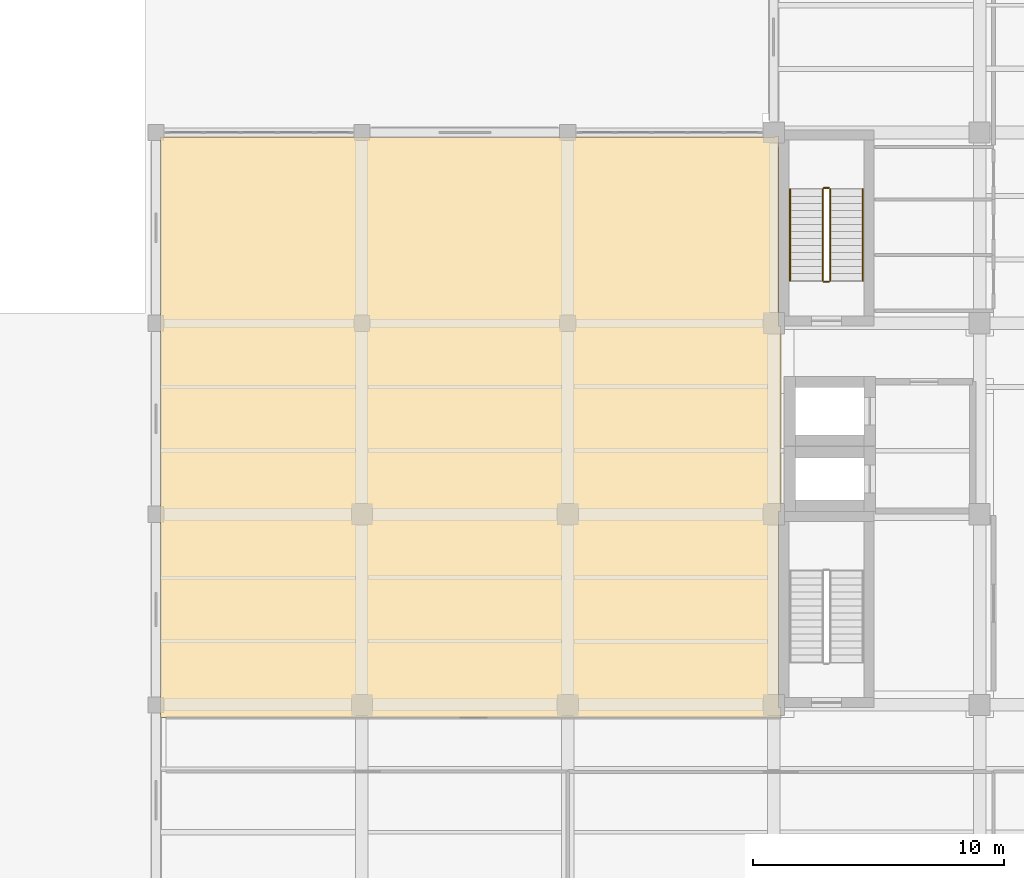
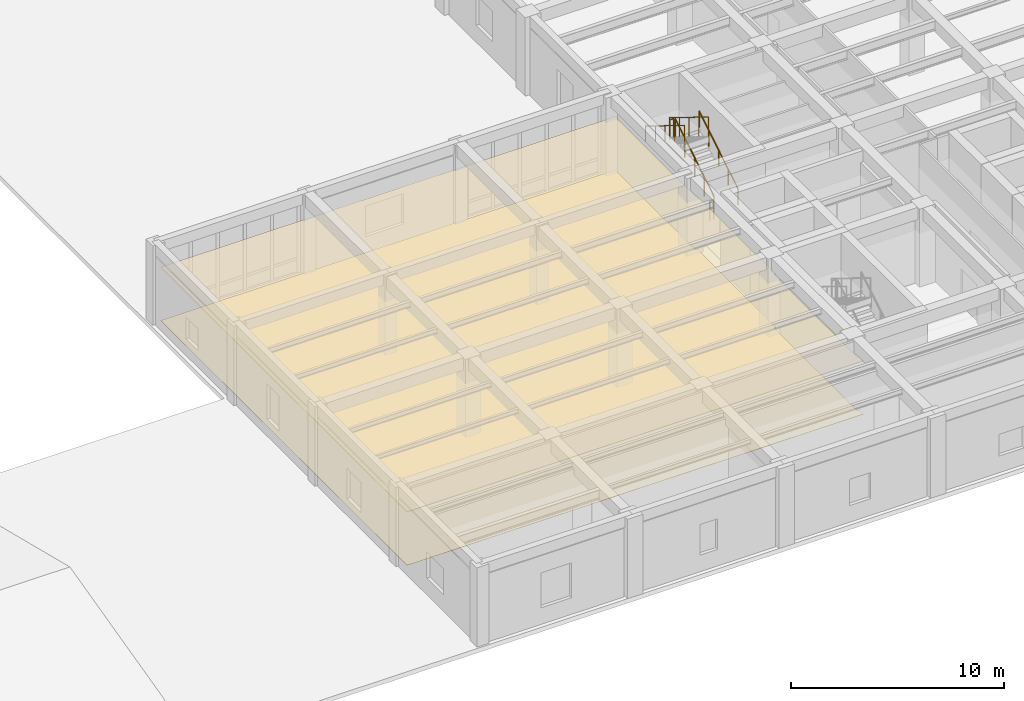
# One storey, part 21 of 23: 6 railings, 2 coverings.
"""IFC4 building model written with IfcOpenShell, lengths in metres."""

from ifc_helpers import new_model, si_unit, direction, frame, origin, origin_2d, place, context, subcontext, project, spatial, polyline, circle, outline, extrude, material, layer, layer_set, type_object, element, save


model = new_model("IFC4")

# Units and contexts
model_context = context("Model", 3, precision=1e-05, world=origin(), true_north=direction((0.0, 1.0)))
body_context = subcontext(model_context, "Body", "Model", "MODEL_VIEW")
ifc_project = project(units=[si_unit("LENGTHUNIT", "METRE"), si_unit("AREAUNIT", "SQUARE_METRE"), si_unit("VOLUMEUNIT", "CUBIC_METRE"), si_unit("PLANEANGLEUNIT", "RADIAN"), si_unit("MASSUNIT", "GRAM", prefix="KILO")], contexts=[model_context])

# Site, building, storey
site_placement = place(None, origin())
site = spatial("IfcSite", under=ifc_project, at=site_placement, CompositionType="ELEMENT")
building_placement = place(site_placement, origin())
building = spatial("IfcBuilding", under=site, at=building_placement, Name="Qandaris Square Conservatory and Botanical Centre", CompositionType="ELEMENT")
storey_placement = place(building_placement, frame((0.0, 0.0, 15.0)))
storey = spatial("IfcBuildingStorey", under=building, at=storey_placement, Name="L03", CompositionType="ELEMENT", Elevation=15.0)

# Coverings
ifc_material_1 = material(Name="Gypsum Plasterboard", Category="gypsum")
ifc_layer_1 = layer(ifc_material_1, 0.02490234375)
ifc_layer_set_1 = layer_set([ifc_layer_1], Name="Gypsum Plasterboard")
covering_type_1 = type_object("IfcCoveringType", Name="Perforated Acoustic Lab Ceiling Tile", PredefinedType="CEILING", material=ifc_layer_set_1)
covering_1_placement = place(storey_placement, frame((0.0, 0.0, 3.050048828125)))
element("IfcCovering", 1, at=covering_1_placement, inside=storey, type_object=covering_type_1, Name="Plant Tissue Culture Cleanroom Ceiling", PredefinedType="CEILING", context=body_context, shape_type="SweptSolid", body=[
    extrude(outline(polyline([(139.235107421875, 46.823486328125), (139.252197265625, 46.827880859375), (139.268798828125, 46.833740234375), (139.284912109375, 46.84130859375), (139.29931640625, 46.85009765625), (139.39990234375, 46.85009765625), (139.39990234375, 39.300048828125), (139.5, 39.300048828125), (139.5, 31.89990234375), (139.39990234375, 31.89990234375), (139.39990234375, 24.10009765625), (139.5, 24.10009765625), (139.5, 23.699951171875), (115.0, 23.699951171875), (114.780029296875, 23.699951171875), (114.780029296875, 46.820068359375), (139.199951171875, 46.820068359375), (139.217529296875, 46.82080078125), (139.235107421875, 46.823486328125)])), origin(), (0.0, 0.0, 1.0), 0.02490234375),
])
ifc_material_2 = material(Name="Epoxy Resin Screed", Category="finish")
ifc_layer_2 = layer(ifc_material_2, 0.014892578125)
ifc_layer_set_2 = layer_set([ifc_layer_2], Name="Epoxy Resin Screed")
covering_type_2 = type_object("IfcCoveringType", Name="Seamless Epoxy Laboratory Flooring", PredefinedType="FLOORING", material=ifc_layer_set_2)
covering_2_placement = place(storey_placement, origin())
element("IfcCovering", 2, at=covering_2_placement, inside=storey, type_object=covering_type_2, Name="Plant Tissue Culture Cleanroom Flooring", PredefinedType="FLOORING", context=body_context, shape_type="SweptSolid", body=[
    extrude(outline(polyline([(139.235107421875, 46.823486328125), (139.252197265625, 46.827880859375), (139.268798828125, 46.833740234375), (139.284912109375, 46.84130859375), (139.29931640625, 46.85009765625), (139.39990234375, 46.85009765625), (139.39990234375, 39.300048828125), (139.5, 39.300048828125), (139.5, 31.89990234375), (139.39990234375, 31.89990234375), (139.39990234375, 24.10009765625), (139.5, 24.10009765625), (139.5, 23.699951171875), (115.0, 23.699951171875), (114.780029296875, 23.699951171875), (114.780029296875, 46.820068359375), (139.199951171875, 46.820068359375), (139.217529296875, 46.82080078125), (139.235107421875, 46.823486328125)])), origin(), (0.0, 0.0, 1.0), 0.014892578125),
])

# Railings
ifc_material_3 = material(Name="Stainless Steel", Category="steel")
railing_type_1 = type_object("IfcRailingType", Name="Stair Tubular Handrail 920mm", PredefinedType="HANDRAIL", material=ifc_material_3)
railing_1_placement = place(storey_placement, frame((142.75, 41.10009765625, 0.3427734375)))
element("IfcRailing", 3, at=railing_1_placement, inside=storey, type_object=railing_type_1, Name="L03 ST-2 stair handrail 1", PredefinedType="HANDRAIL", context=body_context, shape_type="SweptSolid", body=[
    extrude(circle(Radius=0.02392578125, at=origin_2d()), frame((0.0, 0.0, 0.89599609375), z_axis=(0.0, 0.852824790078, 0.522197163366), x_axis=(-1.0, 0.0, 0.0)), (0.0, 0.0, 1.0), 4.26806640625),
    extrude(circle(Radius=0.02099609375, at=origin_2d()), origin(), (0.0, 0.0, 1.0), 0.871826171875),
    extrude(circle(Radius=0.02099609375, at=origin_2d()), frame((0.0, 0.909912109375, 0.55712890625)), (0.0, 0.0, 1.0), 0.871826171875),
    extrude(circle(Radius=0.02099609375, at=origin_2d()), frame((0.0, 1.81982421875, 1.1142578125)), (0.0, 0.0, 1.0), 0.871826171875),
    extrude(circle(Radius=0.02099609375, at=origin_2d()), frame((0.0, 2.72998046875, 1.671630859375)), (0.0, 0.0, 1.0), 0.871826171875),
    extrude(circle(Radius=0.02099609375, at=origin_2d()), frame((0.0, 3.639892578125, 2.228759765625)), (0.0, 0.0, 1.0), 0.871826171875),
])
railing_2_placement = place(storey_placement, frame((139.85009765625, 44.739990234375, 2.742919921875)))
element("IfcRailing", 4, at=railing_2_placement, inside=storey, type_object=railing_type_1, Name="L03 ST-2 stair handrail 2", PredefinedType="HANDRAIL", context=body_context, shape_type="SweptSolid", body=[
    extrude(circle(Radius=0.02392578125, at=origin_2d()), frame((0.0, 0.0, 0.89599609375), z_axis=(0.0, -0.852850264322, 0.5221555579), x_axis=(1.0, 0.0, 0.0)), (0.0, 0.0, 1.0), 4.267822265625),
    extrude(circle(Radius=0.02099609375, at=origin_2d()), origin(), (0.0, 0.0, 1.0), 0.871826171875),
    extrude(circle(Radius=0.02099609375, at=origin_2d()), frame((0.0, -0.909912109375, 0.55712890625)), (0.0, 0.0, 1.0), 0.871826171875),
    extrude(circle(Radius=0.02099609375, at=origin_2d()), frame((0.0, -1.81982421875, 1.1142578125)), (0.0, 0.0, 1.0), 0.871826171875),
    extrude(circle(Radius=0.02099609375, at=origin_2d()), frame((0.0, -2.72998046875, 1.67138671875)), (0.0, 0.0, 1.0), 0.871826171875),
    extrude(circle(Radius=0.02099609375, at=origin_2d()), frame((0.0, -3.639892578125, 2.228515625)), (0.0, 0.0, 1.0), 0.871826171875),
])
railing_type_2 = type_object("IfcRailingType", Name="Stairwell & Atrium Guardrail 1120mm", PredefinedType="GUARDRAIL", material=ifc_material_3)
railing_3_placement = place(storey_placement, frame((141.449951171875, 41.10009765625, 0.17138671875)))
element("IfcRailing", 5, at=railing_3_placement, inside=storey, type_object=railing_type_2, Name="L03 ST-2 stair guard 1", PredefinedType="GUARDRAIL", context=body_context, shape_type="SweptSolid", body=[
    extrude(circle(Radius=0.02392578125, at=origin_2d()), frame((0.0, 0.0, 1.09619140625), z_axis=(0.0, 0.852850264322, 0.5221555579), x_axis=(-1.0, 0.0, 0.0)), (0.0, 0.0, 1.0), 4.267822265625),
    extrude(circle(Radius=0.02099609375, at=origin_2d()), origin(), (0.0, 0.0, 1.0), 1.072021484375),
    extrude(circle(Radius=0.02099609375, at=origin_2d()), frame((0.0, 0.909912109375, 0.55712890625)), (0.0, 0.0, 1.0), 1.072021484375),
    extrude(circle(Radius=0.02099609375, at=origin_2d()), frame((0.0, 1.81982421875, 1.1142578125)), (0.0, 0.0, 1.0), 1.072021484375),
    extrude(circle(Radius=0.02099609375, at=origin_2d()), frame((0.0, 2.72998046875, 1.67138671875)), (0.0, 0.0, 1.0), 1.072021484375),
    extrude(circle(Radius=0.02099609375, at=origin_2d()), frame((0.0, 3.639892578125, 2.228515625)), (0.0, 0.0, 1.0), 1.072021484375),
])
railing_4_placement = place(storey_placement, frame((141.39990234375, 44.7900390625, 2.39990234375)))
element("IfcRailing", 6, at=railing_4_placement, inside=storey, type_object=railing_type_2, Name="L03 ST-2 stair guard 2", PredefinedType="GUARDRAIL", context=body_context, shape_type="SweptSolid", body=[
    extrude(circle(Radius=0.02392578125, at=origin_2d()), frame((0.0, 0.0, 1.09619140625), z_axis=(-1.0, 0.0, 0.0), x_axis=(0.0, -1.0, 0.0)), (0.0, 0.0, 1.0), 0.199951171875),
    extrude(circle(Radius=0.02099609375, at=origin_2d()), origin(), (0.0, 0.0, 1.0), 1.072021484375),
    extrude(circle(Radius=0.02099609375, at=origin_2d()), frame((-0.199951171875, 0.0, 0.0)), (0.0, 0.0, 1.0), 1.072021484375),
])
railing_5_placement = place(storey_placement, frame((141.14990234375, 44.739990234375, 2.571533203125)))
element("IfcRailing", 7, at=railing_5_placement, inside=storey, type_object=railing_type_2, Name="L03 ST-2 stair guard 3", PredefinedType="GUARDRAIL", context=body_context, shape_type="SweptSolid", body=[
    extrude(circle(Radius=0.02392578125, at=origin_2d()), frame((0.0, 0.0, 1.09619140625), z_axis=(0.0, -0.852850264322, 0.5221555579), x_axis=(1.0, 0.0, 0.0)), (0.0, 0.0, 1.0), 4.267822265625),
    extrude(circle(Radius=0.02099609375, at=origin_2d()), origin(), (0.0, 0.0, 1.0), 1.072021484375),
    extrude(circle(Radius=0.02099609375, at=origin_2d()), frame((0.0, -0.909912109375, 0.55712890625)), (0.0, 0.0, 1.0), 1.072021484375),
    extrude(circle(Radius=0.02099609375, at=origin_2d()), frame((0.0, -1.81982421875, 1.1142578125)), (0.0, 0.0, 1.0), 1.072021484375),
    extrude(circle(Radius=0.02099609375, at=origin_2d()), frame((0.0, -2.72998046875, 1.67138671875)), (0.0, 0.0, 1.0), 1.072021484375),
    extrude(circle(Radius=0.02099609375, at=origin_2d()), frame((0.0, -3.639892578125, 2.228515625)), (0.0, 0.0, 1.0), 1.072021484375),
])
railing_6_placement = place(storey_placement, frame((141.39990234375, 41.050048828125, 0.0)))
element("IfcRailing", 8, at=railing_6_placement, inside=storey, type_object=railing_type_2, Name="L03 ST-2 stair guard 4", PredefinedType="GUARDRAIL", context=body_context, shape_type="SweptSolid", body=[
    extrude(circle(Radius=0.02392578125, at=origin_2d()), frame((0.0, 0.0, 1.09619140625), z_axis=(-1.0, 0.0, 0.0), x_axis=(0.0, -1.0, 0.0)), (0.0, 0.0, 1.0), 0.199951171875),
    extrude(circle(Radius=0.02099609375, at=origin_2d()), origin(), (0.0, 0.0, 1.0), 1.072021484375),
    extrude(circle(Radius=0.02099609375, at=origin_2d()), frame((-0.199951171875, 0.0, 0.0)), (0.0, 0.0, 1.0), 1.072021484375),
])

save(model, "model.ifc")
